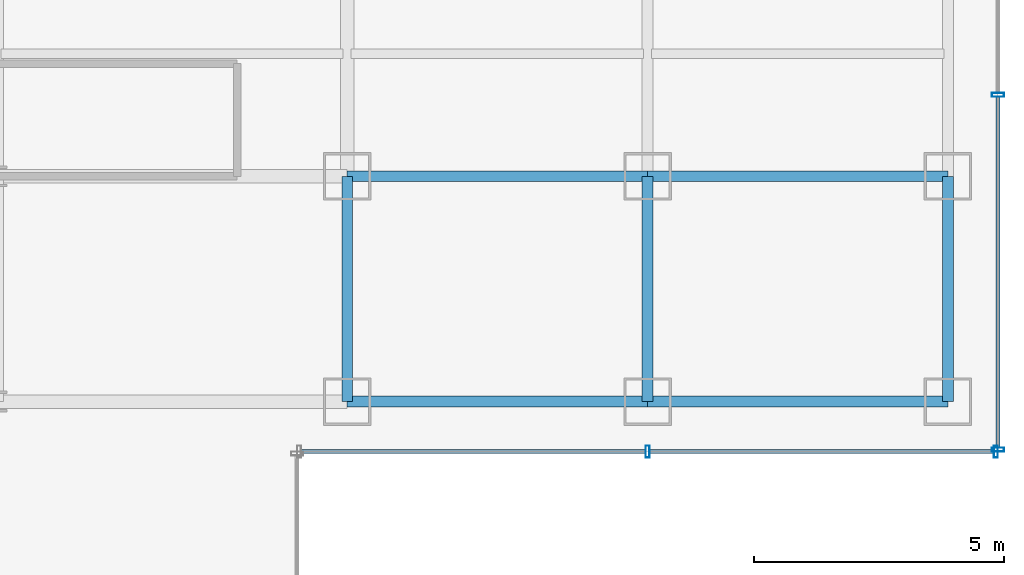
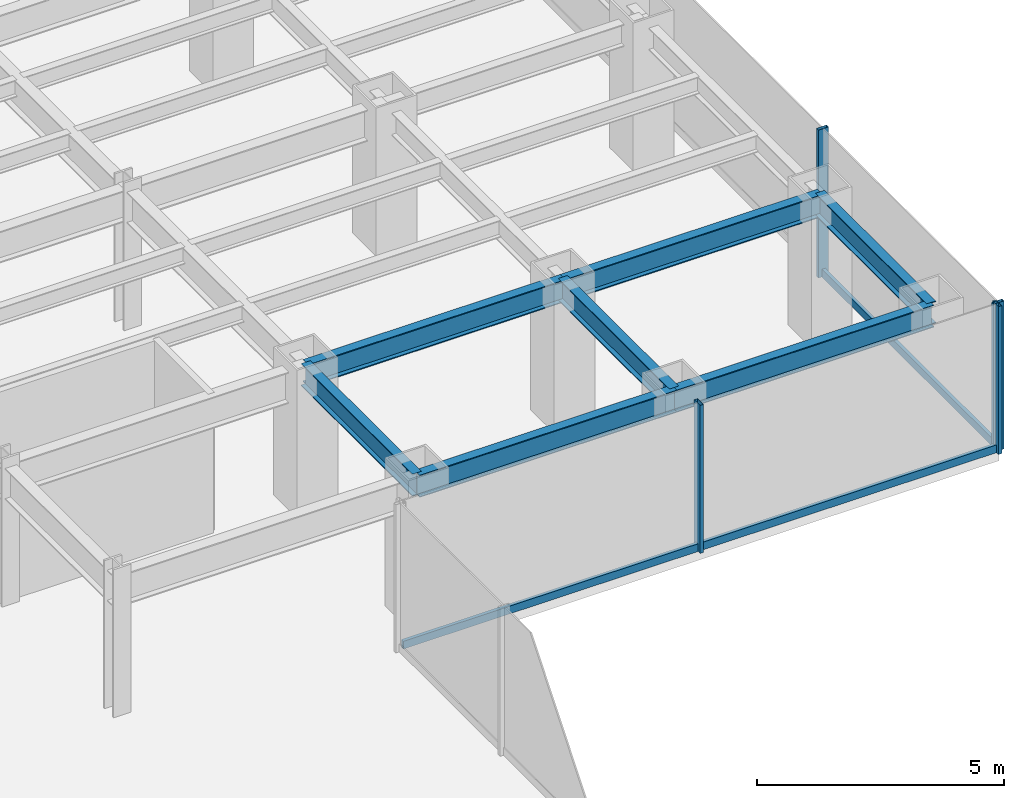
# One storey, part 7 of 22: 7 beams, 7 members, 2 elements without a shape of their own.
"""IFC4 building model written with IfcOpenShell, lengths in metres."""

from ifc_helpers import new_model, si_unit, derived_unit, direction, frame, origin, origin_2d, place, context, subcontext, project, spatial, hollow_rectangle, i_section, extrude, source, transform, mapped, material, material_profile, profile_set, type_object, element, aggregate, save


model = new_model("IFC4")

# Units and contexts
model_context = context("Model", 3, precision=1e-05, world=origin(), true_north=direction((0.0, 1.0)))
body_context = subcontext(model_context, "Body", "Model", "MODEL_VIEW")
ifc_project = project(units=[si_unit("LENGTHUNIT", "METRE"), si_unit("AREAUNIT", "SQUARE_METRE"), si_unit("VOLUMEUNIT", "CUBIC_METRE"), si_unit("PLANEANGLEUNIT", "RADIAN"), si_unit("MASSUNIT", "GRAM", prefix="KILO"), derived_unit("THERMALTRANSMITTANCEUNIT", [(si_unit("POWERUNIT", "WATT"), 1), (si_unit("LENGTHUNIT", "METRE"), -2), (si_unit("THERMODYNAMICTEMPERATUREUNIT", "KELVIN"), -1)])], contexts=[model_context])

# Site, building, storey
site_placement = place(None, origin())
site = spatial("IfcSite", under=ifc_project, at=site_placement, CompositionType="ELEMENT")
building_placement = place(site_placement, origin())
building = spatial("IfcBuilding", under=site, at=building_placement, Name="Skarnbrae Concourse Arena and Tower", CompositionType="ELEMENT")
storey_placement = place(building_placement, frame((0.0, 0.0, 61.699951171875)))
storey = spatial("IfcBuildingStorey", under=building, at=storey_placement, Name="L14", CompositionType="ELEMENT", Elevation=61.699951171875)

# Beams
ifc_material_1 = material(Name="Steel CSA G40.21 350W", Category="steel")
ifc_material_profile_1 = material_profile(ifc_material_1, i_section(OverallWidth=0.214111328125, OverallDepth=0.549072265625, WebThickness=0.0146484375, FlangeThickness=0.023681640625, at=origin_2d()), Name="W530X138")
ifc_profile_set_1 = profile_set([ifc_material_profile_1], Name="Steel CSA G40.21 350W")
beam_type = type_object("IfcBeamType", Name="BM-SPAN-W530X138", PredefinedType="SPANDREL", material=ifc_profile_set_1)
shared_shape_1 = source(origin(), body_context, "Body", "SweptSolid", [
    extrude(i_section(OverallWidth=0.214111328125, OverallDepth=0.549072265625, WebThickness=0.0146484375, FlangeThickness=0.023681640625, at=origin_2d()), origin(), (0.0, 0.0, 1.0), 6.0),
])
for number, where, z_axis, x_axis, name in (
    (1, (49.0, 9.5, 3.12548828125), (1.0, 0.0, 0.0), (0.0, 1.0, 0.0), "L14 Perimeter spandrel Y9.5-3"),
    (2, (55.0, 9.5, 3.12548828125), (1.0, 0.0, 0.0), (0.0, 1.0, 0.0), "L14 Perimeter spandrel Y9.5-4"),
    (3, (49.0, 14.0, 3.12548828125), (1.0, 0.0, 0.0), (0.0, 1.0, 0.0), "L14 Perimeter spandrel Y14.0-8"),
    (4, (55.0, 14.0, 3.12548828125), (1.0, 0.0, 0.0), (0.0, 1.0, 0.0), "L14 Perimeter spandrel Y14.0-9"),
):
    element("IfcBeam", number, at=place(storey_placement, frame(where, z_axis=z_axis, x_axis=x_axis)), inside=storey, type_object=beam_type, Name=name, PredefinedType="SPANDREL", context=body_context, shape_type="MappedRepresentation", body=[
        mapped(shared_shape_1, transform((0.0, 0.0, 0.0))),
    ])
shared_shape_2 = source(origin(), body_context, "Body", "SweptSolid", [
    extrude(i_section(OverallWidth=0.214111328125, OverallDepth=0.549072265625, WebThickness=0.0146484375, FlangeThickness=0.023681640625, at=origin_2d()), origin(), (0.0, 0.0, 1.0), 4.5),
])
for number, where, z_axis, x_axis, name in (
    (5, (49.0, 9.5, 3.12548828125), (0.0, 1.0, 0.0), (-1.0, 0.0, 0.0), "L14 Perimeter spandrel X49.0-1"),
    (6, (55.0, 9.5, 3.12548828125), (0.0, 1.0, 0.0), (-1.0, 0.0, 0.0), "L14 Perimeter spandrel X55.0-1"),
    (7, (61.0, 9.5, 3.12548828125), (0.0, 1.0, 0.0), (-1.0, 0.0, 0.0), "L14 Perimeter spandrel X61.0-1"),
):
    element("IfcBeam", number, at=place(storey_placement, frame(where, z_axis=z_axis, x_axis=x_axis)), inside=storey, type_object=beam_type, Name=name, PredefinedType="SPANDREL", context=body_context, shape_type="MappedRepresentation", body=[
        mapped(shared_shape_2, transform((0.0, 0.0, 0.0))),
    ])

# Curtain wall, members
ifc_material_2 = material(Name="Bronze anodised aluminium 6063-T6", Category="aluminium")
curtain_wall_type = type_object("IfcCurtainWallType", Name="CW-SYS-02-LOWZONE", PredefinedType="USERDEFINED", material=ifc_material_2)
curtain_wall_1_placement = place(storey_placement, origin())
curtain_wall_1 = element("IfcCurtainWall", 8, at=curtain_wall_1_placement, inside=storey, type_object=curtain_wall_type, Name="L14 Unitised curtain wall CW-L14-E03", ObjectType="UNITISED CURTAIN WALL", PredefinedType="USERDEFINED")
ifc_material_profile_2 = material_profile(ifc_material_2, hollow_rectangle(XDim=0.080078125, YDim=0.18994140625, WallThickness=0.0048828125, at=origin_2d()), Name="ALU-TRAN-80X190")
ifc_profile_set_2 = profile_set([ifc_material_profile_2], Name="Bronze anodised aluminium 6063-T6")
member_type_1 = type_object("IfcMemberType", Name="CWT-CW-02", PredefinedType="USERDEFINED", material=ifc_profile_set_2)
shared_shape_3 = source(origin(), body_context, "Body", "SweptSolid", [
    extrude(hollow_rectangle(XDim=0.080078125, YDim=0.18994140625, WallThickness=0.0048828125, at=origin_2d()), origin(), (0.0, 0.0, 1.0), 6.8798828125),
])
member_1_placement = place(storey_placement, frame((48.080078125, 8.5, 0.094970703125), z_axis=(1.0, 0.0, 0.0), x_axis=(0.0, 1.0, 0.0)))
member_1 = element("IfcMember", 9, at=member_1_placement, type_object=member_type_1, Name="CW-L14-E03 Transom 1", ObjectType="TRANSOM", PredefinedType="USERDEFINED", context=body_context, shape_type="MappedRepresentation", body=[
    mapped(shared_shape_3, transform((0.0, 0.0, 0.0))),
])
member_2_placement = place(storey_placement, frame((55.0400390625, 8.5, 0.094970703125), z_axis=(1.0, 0.0, 0.0), x_axis=(0.0, 1.0, 0.0)))
member_2 = element("IfcMember", 10, at=member_2_placement, type_object=member_type_1, Name="CW-L14-E03 Transom 2", ObjectType="TRANSOM", PredefinedType="USERDEFINED", context=body_context, shape_type="MappedRepresentation", body=[
    mapped(shared_shape_3, transform((0.0, 0.0, 0.0))),
])

# Curtain wall, member
curtain_wall_2_placement = place(storey_placement, origin())
curtain_wall_2 = element("IfcCurtainWall", 11, at=curtain_wall_2_placement, inside=storey, type_object=curtain_wall_type, Name="L14 Unitised curtain wall CW-L14-E04", ObjectType="UNITISED CURTAIN WALL", PredefinedType="USERDEFINED")
shared_shape_4 = source(origin(), body_context, "Body", "SweptSolid", [
    extrude(hollow_rectangle(XDim=0.080078125, YDim=0.18994140625, WallThickness=0.0048828125, at=origin_2d()), origin(), (0.0, 0.0, 1.0), 7.0048828125),
])
member_3_placement = place(storey_placement, frame((62.0, 8.580078125, 0.094970703125), z_axis=(0.0, 1.0, 0.0), x_axis=(-1.0, 0.0, 0.0)))
member_3 = element("IfcMember", 12, at=member_3_placement, type_object=member_type_1, Name="CW-L14-E04 Transom 1", ObjectType="TRANSOM", PredefinedType="USERDEFINED", context=body_context, shape_type="MappedRepresentation", body=[
    mapped(shared_shape_4, transform((0.0, 0.0, 0.0))),
])

# Member
ifc_material_profile_3 = material_profile(ifc_material_2, hollow_rectangle(XDim=0.080078125, YDim=0.239990234375, WallThickness=0.0048828125, at=origin_2d()), Name="ALU-MULL-80X240")
ifc_profile_set_3 = profile_set([ifc_material_profile_3], Name="Bronze anodised aluminium 6063-T6")
member_type_2 = type_object("IfcMemberType", Name="CWM-CW-02", PredefinedType="MULLION", material=ifc_profile_set_3)
shared_shape_5 = source(origin(), body_context, "Body", "SweptSolid", [
    extrude(hollow_rectangle(XDim=0.080078125, YDim=0.239990234375, WallThickness=0.0048828125, at=origin_2d()), origin(), (0.0, 0.0, 1.0), 3.650146484375),
])
member_4_placement = place(storey_placement, frame((55.0, 8.5, 0.0), z_axis=(0.0, 0.0, 1.0), x_axis=(1.0, 0.0, 0.0)))
member_4 = element("IfcMember", 13, at=member_4_placement, type_object=member_type_2, Name="CW-L14-E03 Mullion 2", PredefinedType="MULLION", context=body_context, shape_type="MappedRepresentation", body=[
    mapped(shared_shape_5, transform((0.0, 0.0, 0.0))),
])

member_5_placement = place(storey_placement, frame((61.9599609375, 8.5, 0.0), z_axis=(0.0, 0.0, 1.0), x_axis=(1.0, 0.0, 0.0)))
member_5 = element("IfcMember", 14, at=member_5_placement, type_object=member_type_2, Name="CW-L14-E03 Mullion 3", PredefinedType="MULLION", context=body_context, shape_type="MappedRepresentation", body=[
    mapped(shared_shape_5, transform((0.0, 0.0, 0.0))),
])

aggregate(curtain_wall_1, [member_4, member_5, member_1, member_2])

member_6_placement = place(storey_placement, frame((62.0, 8.5400390625, 0.0), z_axis=(0.0, 0.0, 1.0), x_axis=(0.0, 1.0, 0.0)))
member_6 = element("IfcMember", 15, at=member_6_placement, type_object=member_type_2, Name="CW-L14-E04 Mullion 1", PredefinedType="MULLION", context=body_context, shape_type="MappedRepresentation", body=[
    mapped(shared_shape_5, transform((0.0, 0.0, 0.0))),
])

member_7_placement = place(storey_placement, frame((62.0, 15.625, 0.0), z_axis=(0.0, 0.0, 1.0), x_axis=(0.0, 1.0, 0.0)))
member_7 = element("IfcMember", 16, at=member_7_placement, type_object=member_type_2, Name="CW-L14-E04 Mullion 2", PredefinedType="MULLION", context=body_context, shape_type="MappedRepresentation", body=[
    mapped(shared_shape_5, transform((0.0, 0.0, 0.0))),
])

aggregate(curtain_wall_2, [member_6, member_7, member_3])

save(model, "model.ifc")
